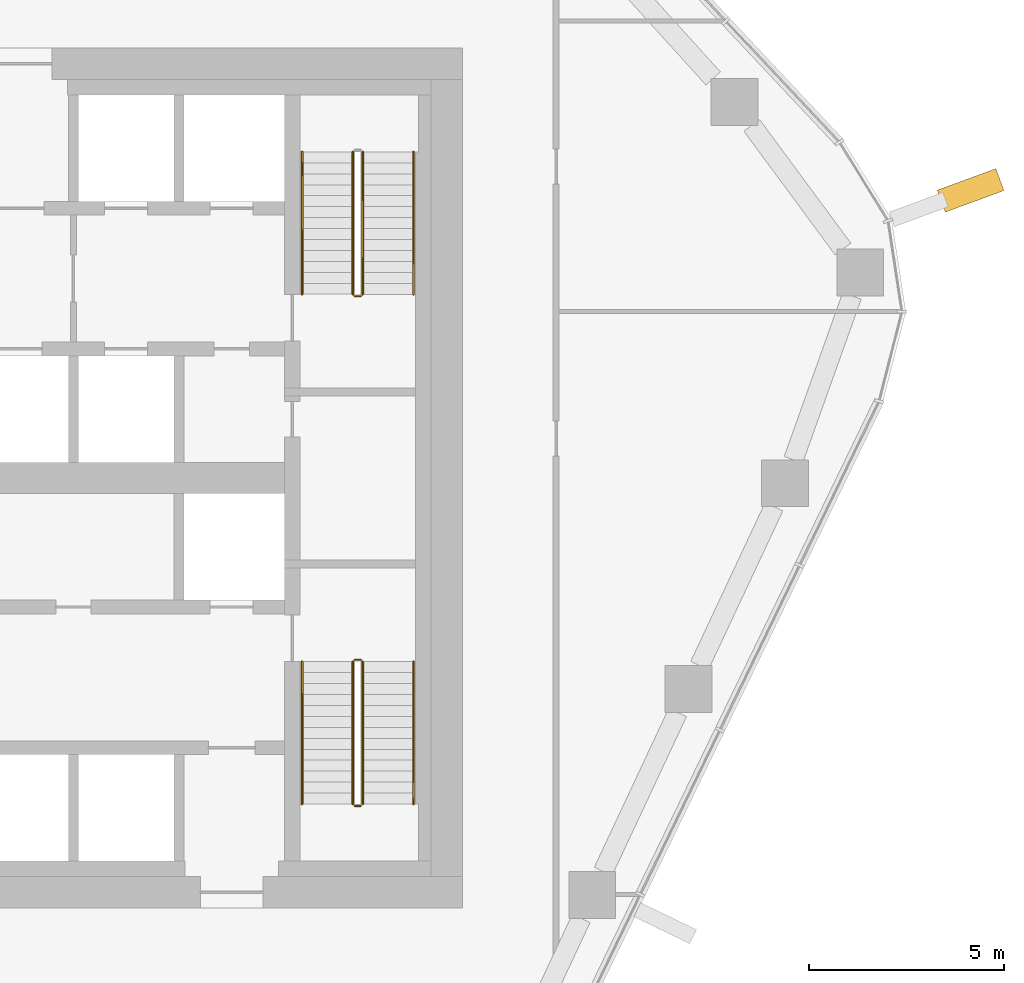
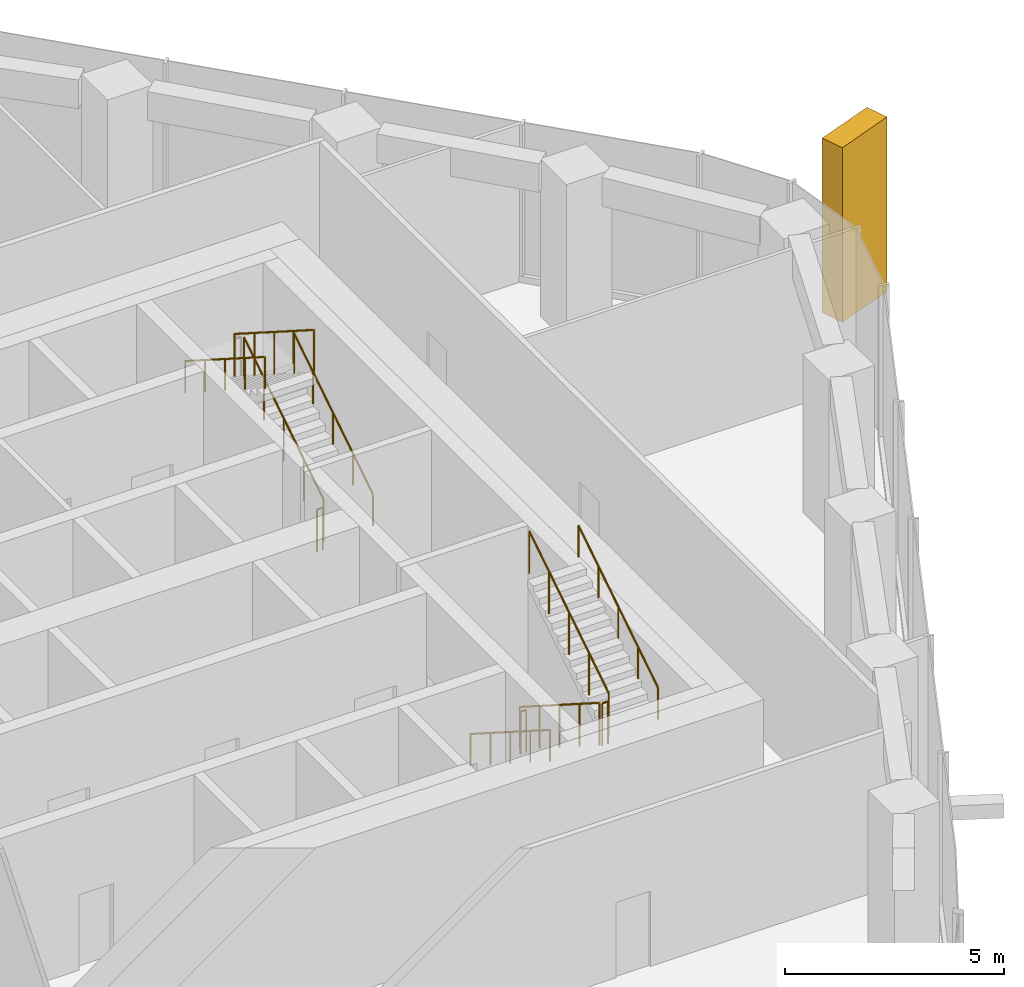
# One storey, part 15 of 16: 11 railings, 1 covering, 1 element without a shape of its own.
"""IFC4 building model written with IfcOpenShell, lengths in metres."""

from ifc_helpers import new_model, si_unit, direction, frame, origin, origin_2d, place, context, subcontext, project, spatial, rectangle, circle, extrude, material, layer, layer_set, material_profile, profile_set, type_object, element, aggregate, save


model = new_model("IFC4")

# Units and contexts
model_context = context("Model", 3, precision=1e-05, world=origin(), true_north=direction((0.0, 1.0)))
body_context = subcontext(model_context, "Body", "Model", "MODEL_VIEW")
ifc_project = project(units=[si_unit("LENGTHUNIT", "METRE"), si_unit("AREAUNIT", "SQUARE_METRE"), si_unit("VOLUMEUNIT", "CUBIC_METRE"), si_unit("PLANEANGLEUNIT", "RADIAN"), si_unit("MASSUNIT", "GRAM", prefix="KILO")], contexts=[model_context])

# Site, building, storey
site_placement = place(None, origin())
site = spatial("IfcSite", under=ifc_project, at=site_placement, CompositionType="ELEMENT")
building_placement = place(site_placement, origin())
building = spatial("IfcBuilding", under=site, at=building_placement, Name="Dongbaek Canopy Tower", CompositionType="ELEMENT")
storey_placement = place(building_placement, frame((0.0, 0.0, 215.60009765625)))
storey = spatial("IfcBuildingStorey", under=building, at=storey_placement, Name="L45", CompositionType="ELEMENT", Elevation=215.60009765625)

# Curtain wall, covering
ifc_material_1 = material(Name="Aluminium 6063-T6 pale anodised", Category="aluminium")
ifc_layer = layer(ifc_material_1, 0.25)
ifc_layer_set = layer_set([ifc_layer], Name="CW-4 sky-lobby curtain wall")
curtain_wall_type = type_object("IfcCurtainWallType", Name="CW-4 sky-lobby curtain wall", PredefinedType="NOTDEFINED", material=ifc_layer_set)
curtain_wall_placement = place(storey_placement, origin())
curtain_wall = element("IfcCurtainWall", 1, at=curtain_wall_placement, inside=storey, type_object=curtain_wall_type, Name="CW-4 curtain wall K0.1", PredefinedType="NOTDEFINED")
ifc_material_2 = material(Name="Aluminium 6063-T6 pale metal fin", Category="aluminium")
ifc_material_profile = material_profile(ifc_material_2, rectangle(XDim=1.60009765625, YDim=0.60009765625, at=origin_2d()), Name="Corner fin CN1 600 x 1600 pale metal")
ifc_profile_set = profile_set([ifc_material_profile], Name="Aluminium 6063-T6 pale metal fin")
covering_type = type_object("IfcCoveringType", Name="Corner fin CN1 600 x 1600 pale metal", PredefinedType="CLADDING", material=ifc_profile_set)
covering_placement = place(storey_placement, frame((27.001953125, 7.35693359375, -0.190185546875), z_axis=(0.0, 0.0, 1.0), x_axis=(0.938536406801, 0.345180261761, 0.0)))
covering = element("IfcCovering", 2, at=covering_placement, type_object=covering_type, Name="Corner fin L45 L45 K0", PredefinedType="CLADDING", context=body_context, shape_type="SweptSolid", body=[
    extrude(rectangle(XDim=1.60009765625, YDim=0.60009765625, at=origin_2d()), origin(), (0.0, 0.0, 1.0), 4.8701171875),
])
aggregate(curtain_wall, [covering])

# Railings
ifc_material_3 = material(Name="Stainless steel tube and balusters", Category="steel")
railing_type_1 = type_object("IfcRailingType", Name="Stair guard 1200", PredefinedType="GUARDRAIL", material=ifc_material_3)
railing_1_placement = place(storey_placement, frame((11.449951171875, 4.699951171875, 0.178466796875)))
element("IfcRailing", 3, at=railing_1_placement, inside=storey, type_object=railing_type_1, Name="L45 ST-A stair guard 1", PredefinedType="GUARDRAIL", context=body_context, shape_type="SweptSolid", body=[
    extrude(circle(Radius=0.02392578125, at=origin_2d()), frame((0.0, 0.0, 1.17578125), z_axis=(0.0, 0.843127859045, 0.537713132908), x_axis=(-1.0, 0.0, 0.0)), (0.0, 0.0, 1.0), 4.3173828125),
    extrude(circle(Radius=0.02099609375, at=origin_2d()), origin(), (0.0, 0.0, 1.0), 1.15185546875),
    extrude(circle(Radius=0.02099609375, at=origin_2d()), frame((0.0, 0.91015625, 0.580322265625)), (0.0, 0.0, 1.0), 1.15185546875),
    extrude(circle(Radius=0.02099609375, at=origin_2d()), frame((0.0, 1.820068359375, 1.16064453125)), (0.0, 0.0, 1.0), 1.15185546875),
    extrude(circle(Radius=0.02099609375, at=origin_2d()), frame((0.0, 2.72998046875, 1.7412109375)), (0.0, 0.0, 1.0), 1.15185546875),
    extrude(circle(Radius=0.02099609375, at=origin_2d()), frame((0.0, 3.64013671875, 2.321533203125)), (0.0, 0.0, 1.0), 1.15185546875),
])
railing_2_placement = place(storey_placement, frame((11.199951171875, 8.340087890625, 2.678466796875)))
element("IfcRailing", 4, at=railing_2_placement, inside=storey, type_object=railing_type_1, Name="L45 ST-A stair guard 3", PredefinedType="GUARDRAIL", context=body_context, shape_type="SweptSolid", body=[
    extrude(circle(Radius=0.02392578125, at=origin_2d()), frame((0.0, 0.0, 1.17578125), z_axis=(0.0, -0.843127859045, 0.537713132908), x_axis=(1.0, 0.0, 0.0)), (0.0, 0.0, 1.0), 4.3173828125),
    extrude(circle(Radius=0.02099609375, at=origin_2d()), origin(), (0.0, 0.0, 1.0), 1.15185546875),
    extrude(circle(Radius=0.02099609375, at=origin_2d()), frame((0.0, -0.91015625, 0.580322265625)), (0.0, 0.0, 1.0), 1.15185546875),
    extrude(circle(Radius=0.02099609375, at=origin_2d()), frame((0.0, -1.820068359375, 1.16064453125)), (0.0, 0.0, 1.0), 1.15185546875),
    extrude(circle(Radius=0.02099609375, at=origin_2d()), frame((0.0, -2.72998046875, 1.7412109375)), (0.0, 0.0, 1.0), 1.15185546875),
    extrude(circle(Radius=0.02099609375, at=origin_2d()), frame((0.0, -3.64013671875, 2.321533203125)), (0.0, 0.0, 1.0), 1.15185546875),
])
railing_3_placement = place(storey_placement, frame((11.39990234375, 4.64990234375, 0.0)))
element("IfcRailing", 5, at=railing_3_placement, inside=storey, type_object=railing_type_1, Name="L45 ST-A stair guard 4", PredefinedType="GUARDRAIL", context=body_context, shape_type="SweptSolid", body=[
    extrude(circle(Radius=0.02392578125, at=origin_2d()), frame((0.0, 0.0, 1.17578125), z_axis=(-1.0, 0.0, 0.0), x_axis=(0.0, -1.0, 0.0)), (0.0, 0.0, 1.0), 0.14990234375),
    extrude(circle(Radius=0.02099609375, at=origin_2d()), origin(), (0.0, 0.0, 1.0), 1.15185546875),
    extrude(circle(Radius=0.02099609375, at=origin_2d()), frame((-0.14990234375, 0.0, 0.0)), (0.0, 0.0, 1.0), 1.15185546875),
])
railing_4_placement = place(storey_placement, frame((11.199951171875, -4.699951171875, 0.178466796875)))
element("IfcRailing", 6, at=railing_4_placement, inside=storey, type_object=railing_type_1, Name="L45 ST-B stair guard 1", PredefinedType="GUARDRAIL", context=body_context, shape_type="SweptSolid", body=[
    extrude(circle(Radius=0.02392578125, at=origin_2d()), frame((0.0, 0.0, 1.17578125), z_axis=(0.0, -0.843127859045, 0.537713132908), x_axis=(1.0, 0.0, 0.0)), (0.0, 0.0, 1.0), 4.3173828125),
    extrude(circle(Radius=0.02099609375, at=origin_2d()), origin(), (0.0, 0.0, 1.0), 1.15185546875),
    extrude(circle(Radius=0.02099609375, at=origin_2d()), frame((0.0, -0.91015625, 0.580322265625)), (0.0, 0.0, 1.0), 1.15185546875),
    extrude(circle(Radius=0.02099609375, at=origin_2d()), frame((0.0, -1.820068359375, 1.16064453125)), (0.0, 0.0, 1.0), 1.15185546875),
    extrude(circle(Radius=0.02099609375, at=origin_2d()), frame((0.0, -2.72998046875, 1.7412109375)), (0.0, 0.0, 1.0), 1.15185546875),
    extrude(circle(Radius=0.02099609375, at=origin_2d()), frame((0.0, -3.64013671875, 2.321533203125)), (0.0, 0.0, 1.0), 1.15185546875),
])
railing_5_placement = place(storey_placement, frame((11.25, -8.389892578125, 2.5)))
element("IfcRailing", 7, at=railing_5_placement, inside=storey, type_object=railing_type_1, Name="L45 ST-B stair guard 2", PredefinedType="GUARDRAIL", context=body_context, shape_type="SweptSolid", body=[
    extrude(circle(Radius=0.02392578125, at=origin_2d()), frame((0.0, 0.0, 1.17578125), z_axis=(1.0, 0.0, 0.0), x_axis=(0.0, 1.0, 0.0)), (0.0, 0.0, 1.0), 0.14990234375),
    extrude(circle(Radius=0.02099609375, at=origin_2d()), origin(), (0.0, 0.0, 1.0), 1.15185546875),
    extrude(circle(Radius=0.02099609375, at=origin_2d()), frame((0.14990234375, 0.0, 0.0)), (0.0, 0.0, 1.0), 1.15185546875),
])
railing_6_placement = place(storey_placement, frame((11.449951171875, -8.340087890625, 2.678466796875)))
element("IfcRailing", 8, at=railing_6_placement, inside=storey, type_object=railing_type_1, Name="L45 ST-B stair guard 3", PredefinedType="GUARDRAIL", context=body_context, shape_type="SweptSolid", body=[
    extrude(circle(Radius=0.02392578125, at=origin_2d()), frame((0.0, 0.0, 1.17578125), z_axis=(0.0, 0.843127859045, 0.537713132908), x_axis=(-1.0, 0.0, 0.0)), (0.0, 0.0, 1.0), 4.3173828125),
    extrude(circle(Radius=0.02099609375, at=origin_2d()), origin(), (0.0, 0.0, 1.0), 1.15185546875),
    extrude(circle(Radius=0.02099609375, at=origin_2d()), frame((0.0, 0.91015625, 0.580322265625)), (0.0, 0.0, 1.0), 1.15185546875),
    extrude(circle(Radius=0.02099609375, at=origin_2d()), frame((0.0, 1.820068359375, 1.16064453125)), (0.0, 0.0, 1.0), 1.15185546875),
    extrude(circle(Radius=0.02099609375, at=origin_2d()), frame((0.0, 2.72998046875, 1.7412109375)), (0.0, 0.0, 1.0), 1.15185546875),
    extrude(circle(Radius=0.02099609375, at=origin_2d()), frame((0.0, 3.64013671875, 2.321533203125)), (0.0, 0.0, 1.0), 1.15185546875),
])
railing_7_placement = place(storey_placement, frame((11.25, -4.64990234375, 0.0)))
element("IfcRailing", 9, at=railing_7_placement, inside=storey, type_object=railing_type_1, Name="L45 ST-B stair guard 4", PredefinedType="GUARDRAIL", context=body_context, shape_type="SweptSolid", body=[
    extrude(circle(Radius=0.02392578125, at=origin_2d()), frame((0.0, 0.0, 1.17578125), z_axis=(1.0, 0.0, 0.0), x_axis=(0.0, 1.0, 0.0)), (0.0, 0.0, 1.0), 0.14990234375),
    extrude(circle(Radius=0.02099609375, at=origin_2d()), origin(), (0.0, 0.0, 1.0), 1.15185546875),
    extrude(circle(Radius=0.02099609375, at=origin_2d()), frame((0.14990234375, 0.0, 0.0)), (0.0, 0.0, 1.0), 1.15185546875),
])
ifc_material_4 = material(Name="Stainless steel tube", Category="steel")
railing_type_2 = type_object("IfcRailingType", Name="Stair handrail 900", PredefinedType="HANDRAIL", material=ifc_material_4)
railing_8_placement = place(storey_placement, frame((12.75, 4.699951171875, 0.178466796875)))
element("IfcRailing", 10, at=railing_8_placement, inside=storey, type_object=railing_type_2, Name="L45 ST-A stair handrail 1", PredefinedType="HANDRAIL", context=body_context, shape_type="SweptSolid", body=[
    extrude(circle(Radius=0.02392578125, at=origin_2d()), frame((0.0, 0.0, 0.8759765625), z_axis=(0.0, 0.843127859045, 0.537713132908), x_axis=(-1.0, 0.0, 0.0)), (0.0, 0.0, 1.0), 4.3173828125),
    extrude(circle(Radius=0.02099609375, at=origin_2d()), origin(), (0.0, 0.0, 1.0), 0.851806640625),
    extrude(circle(Radius=0.02099609375, at=origin_2d()), frame((0.0, 0.91015625, 0.580322265625)), (0.0, 0.0, 1.0), 0.851806640625),
    extrude(circle(Radius=0.02099609375, at=origin_2d()), frame((0.0, 1.820068359375, 1.16064453125)), (0.0, 0.0, 1.0), 0.851806640625),
    extrude(circle(Radius=0.02099609375, at=origin_2d()), frame((0.0, 2.72998046875, 1.7412109375)), (0.0, 0.0, 1.0), 0.851806640625),
    extrude(circle(Radius=0.02099609375, at=origin_2d()), frame((0.0, 3.64013671875, 2.321533203125)), (0.0, 0.0, 1.0), 0.851806640625),
])
for number, where, name in (
    (11, (9.89990234375, 8.340087890625, 2.678466796875), "L45 ST-A stair handrail 2"),
    (12, (9.89990234375, -4.699951171875, 0.178466796875), "L45 ST-B stair handrail 1"),
):
    element("IfcRailing", number, at=place(storey_placement, frame(where)), inside=storey, type_object=railing_type_2, Name=name, PredefinedType="HANDRAIL", context=body_context, shape_type="SweptSolid", body=[
        extrude(circle(Radius=0.02392578125, at=origin_2d()), frame((0.0, 0.0, 0.8759765625), z_axis=(0.0, -0.843127859045, 0.537713132908), x_axis=(1.0, 0.0, 0.0)), (0.0, 0.0, 1.0), 4.3173828125),
        extrude(circle(Radius=0.02099609375, at=origin_2d()), origin(), (0.0, 0.0, 1.0), 0.851806640625),
        extrude(circle(Radius=0.02099609375, at=origin_2d()), frame((0.0, -0.91015625, 0.580322265625)), (0.0, 0.0, 1.0), 0.851806640625),
        extrude(circle(Radius=0.02099609375, at=origin_2d()), frame((0.0, -1.820068359375, 1.16064453125)), (0.0, 0.0, 1.0), 0.851806640625),
        extrude(circle(Radius=0.02099609375, at=origin_2d()), frame((0.0, -2.72998046875, 1.7412109375)), (0.0, 0.0, 1.0), 0.851806640625),
        extrude(circle(Radius=0.02099609375, at=origin_2d()), frame((0.0, -3.64013671875, 2.321533203125)), (0.0, 0.0, 1.0), 0.851806640625),
    ])
railing_9_placement = place(storey_placement, frame((12.75, -8.340087890625, 2.678466796875)))
element("IfcRailing", 13, at=railing_9_placement, inside=storey, type_object=railing_type_2, Name="L45 ST-B stair handrail 2", PredefinedType="HANDRAIL", context=body_context, shape_type="SweptSolid", body=[
    extrude(circle(Radius=0.02392578125, at=origin_2d()), frame((0.0, 0.0, 0.8759765625), z_axis=(0.0, 0.843127859045, 0.537713132908), x_axis=(-1.0, 0.0, 0.0)), (0.0, 0.0, 1.0), 4.3173828125),
    extrude(circle(Radius=0.02099609375, at=origin_2d()), origin(), (0.0, 0.0, 1.0), 0.851806640625),
    extrude(circle(Radius=0.02099609375, at=origin_2d()), frame((0.0, 0.91015625, 0.580322265625)), (0.0, 0.0, 1.0), 0.851806640625),
    extrude(circle(Radius=0.02099609375, at=origin_2d()), frame((0.0, 1.820068359375, 1.16064453125)), (0.0, 0.0, 1.0), 0.851806640625),
    extrude(circle(Radius=0.02099609375, at=origin_2d()), frame((0.0, 2.72998046875, 1.7412109375)), (0.0, 0.0, 1.0), 0.851806640625),
    extrude(circle(Radius=0.02099609375, at=origin_2d()), frame((0.0, 3.64013671875, 2.321533203125)), (0.0, 0.0, 1.0), 0.851806640625),
])

save(model, "model.ifc")
